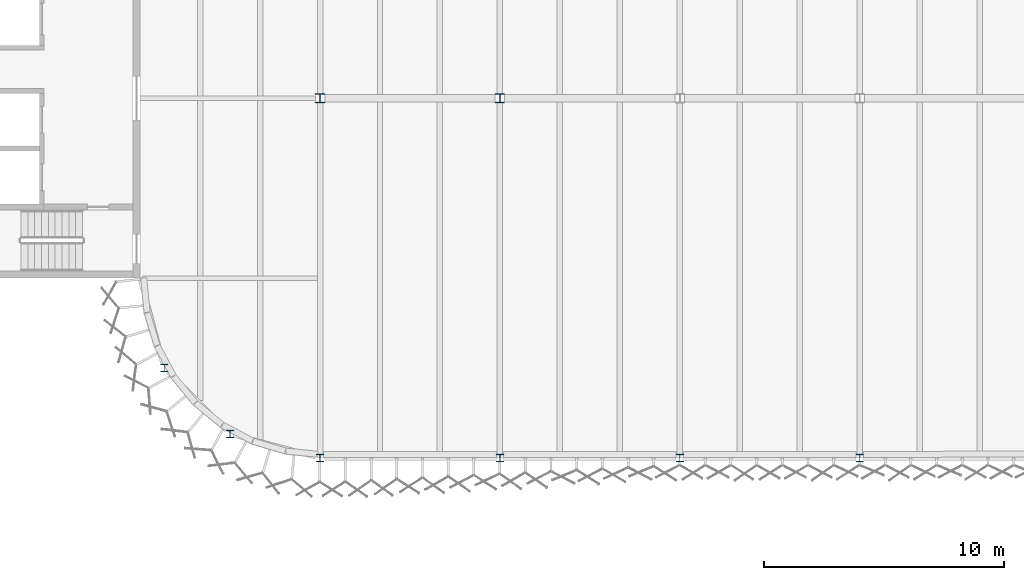
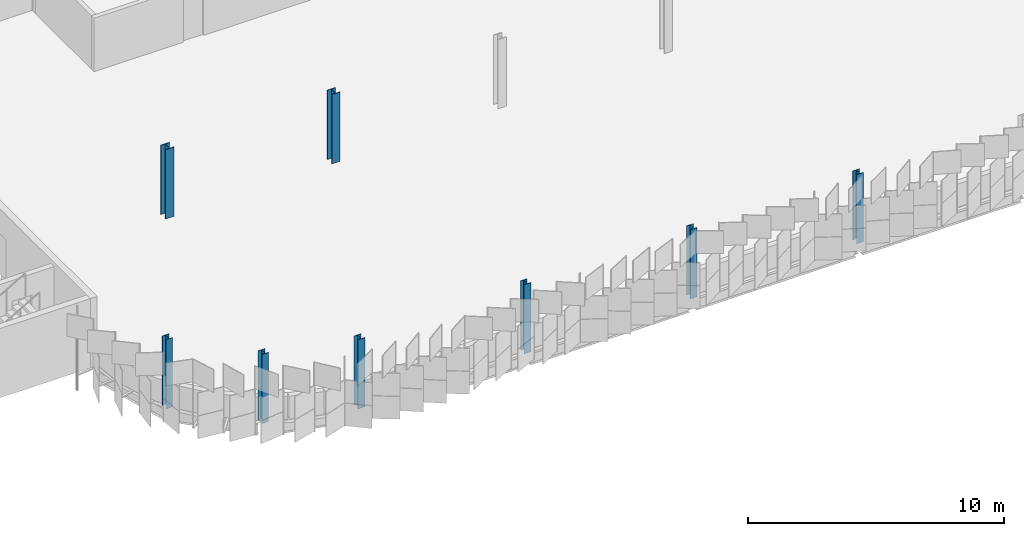
# One storey, part 9 of 198: 8 columns.
"""IFC4 building model written with IfcOpenShell, lengths in metres."""

from ifc_helpers import new_model, si_unit, direction, frame, origin, origin_2d, place, context, subcontext, project, spatial, i_section, extrude, material, material_profile, profile_set, type_object, element, save


model = new_model("IFC4")

# Units and contexts
model_context = context("Model", 3, precision=1e-05, world=origin(), true_north=direction((0.0, 1.0)))
body_context = subcontext(model_context, "Body", "Model", "MODEL_VIEW")
ifc_project = project(units=[si_unit("LENGTHUNIT", "METRE"), si_unit("AREAUNIT", "SQUARE_METRE"), si_unit("VOLUMEUNIT", "CUBIC_METRE"), si_unit("PLANEANGLEUNIT", "RADIAN"), si_unit("MASSUNIT", "GRAM", prefix="KILO")], contexts=[model_context])

# Site, building, storey
site_placement = place(None, origin())
site = spatial("IfcSite", under=ifc_project, at=site_placement, CompositionType="ELEMENT")
building_placement = place(site_placement, origin())
building = spatial("IfcBuilding", under=site, at=building_placement, Name="Parallax Yard Mobility Hub", CompositionType="ELEMENT")
storey_placement = place(building_placement, frame((0.0, 0.0, 6.60009765625)))
storey = spatial("IfcBuildingStorey", under=building, at=storey_placement, Name="L02", CompositionType="ELEMENT", Elevation=6.60009765625)

# Columns
ifc_material = material(Name="Steel ASTM A992", Category="steel")
ifc_material_profile_1 = material_profile(ifc_material, i_section(OverallWidth=0.306884765625, OverallDepth=0.318115234375, WebThickness=0.01318359375, FlangeThickness=0.0205078125, FilletRadius=0.01513671875, at=origin_2d()), Name="W310x129")
ifc_profile_set_1 = profile_set([ifc_material_profile_1], Name="Steel ASTM A992")
column_type_1 = type_object("IfcColumnType", Name="W310x129 column", PredefinedType="COLUMN", material=ifc_profile_set_1)
column_1_placement = place(storey_placement, frame((30.0, 112.5, 0.0), z_axis=(0.0, 0.0, 1.0), x_axis=(1.0, 0.0, 0.0)))
element("IfcColumn", 1, at=column_1_placement, inside=storey, type_object=column_type_1, Name="Column C3 level L02 at R/5 of ramped parking decks", PredefinedType="COLUMN", context=body_context, shape_type="SweptSolid", body=[
    extrude(i_section(OverallWidth=0.306884765625, OverallDepth=0.318115234375, WebThickness=0.01318359375, FlangeThickness=0.0205078125, FilletRadius=0.01513671875, at=origin_2d()), origin(), (0.0, 0.0, 1.0), 3.2998046875),
])
ifc_material_profile_2 = material_profile(ifc_material, i_section(OverallWidth=0.304931640625, OverallDepth=0.306884765625, WebThickness=0.010009765625, FlangeThickness=0.015380859375, FilletRadius=0.01513671875, at=origin_2d()), Name="W310x97")
ifc_profile_set_2 = profile_set([ifc_material_profile_2], Name="Steel ASTM A992")
column_type_2 = type_object("IfcColumnType", Name="W310x97 column", PredefinedType="COLUMN", material=ifc_profile_set_2)
for number, where, z_axis, x_axis, name in (
    (2, (37.5, 112.5, 0.0), (0.0, 0.0, 1.0), (1.0, 0.0, 0.0), "Column C1 level L02 at R/6 of ramped parking decks"),
    (3, (45.0, 112.5, 0.0), (0.0, 0.0, 1.0), (1.0, 0.0, 0.0), "Column C1 level L02 at R/7 of ramped parking decks"),
    (4, (52.5, 112.5, 0.0), (0.0, 0.0, 1.0), (1.0, 0.0, 0.0), "Column C1 level L02 at R/8 of ramped parking decks"),
    (5, (23.5048828125, 116.25, 0.0), (0.0, 0.0, 1.0), (1.0, 0.0, 0.0), "Column C1 level L02 at W-S1 of ramped parking decks"),
    (6, (26.25, 113.5048828125, 0.0), (0.0, 0.0, 1.0), (1.0, 0.0, 0.0), "Column C1 level L02 at W-S2 of ramped parking decks"),
):
    element("IfcColumn", number, at=place(storey_placement, frame(where, z_axis=z_axis, x_axis=x_axis)), inside=storey, type_object=column_type_2, Name=name, PredefinedType="COLUMN", context=body_context, shape_type="SweptSolid", body=[
        extrude(i_section(OverallWidth=0.304931640625, OverallDepth=0.306884765625, WebThickness=0.010009765625, FlangeThickness=0.015380859375, FilletRadius=0.01513671875, at=origin_2d()), origin(), (0.0, 0.0, 1.0), 3.2998046875),
    ])
ifc_material_profile_3 = material_profile(ifc_material, i_section(OverallWidth=0.373046875, OverallDepth=0.367919921875, WebThickness=0.014892578125, FlangeThickness=0.02392578125, FilletRadius=0.01513671875, at=origin_2d()), Name="W360x179")
ifc_profile_set_3 = profile_set([ifc_material_profile_3], Name="Steel ASTM A992")
column_type_3 = type_object("IfcColumnType", Name="W360x179 column", PredefinedType="COLUMN", material=ifc_profile_set_3)
column_2_placement = place(storey_placement, frame((37.5, 127.5, 0.0), z_axis=(0.0, 0.0, 1.0), x_axis=(1.0, 0.0, 0.0)))
element("IfcColumn", 7, at=column_2_placement, inside=storey, type_object=column_type_3, Name="Column C7 level L02 at T/6 of ramped parking decks", PredefinedType="COLUMN", context=body_context, shape_type="SweptSolid", body=[
    extrude(i_section(OverallWidth=0.373046875, OverallDepth=0.367919921875, WebThickness=0.014892578125, FlangeThickness=0.02392578125, FilletRadius=0.01513671875, at=origin_2d()), origin(), (0.0, 0.0, 1.0), 3.2998046875),
])
ifc_material_profile_4 = material_profile(ifc_material, i_section(OverallWidth=0.39599609375, OverallDepth=0.381103515625, WebThickness=0.018798828125, FlangeThickness=0.0302734375, FilletRadius=0.015380859375, at=origin_2d()), Name="W360x237")
ifc_profile_set_4 = profile_set([ifc_material_profile_4], Name="Steel ASTM A992")
column_type_4 = type_object("IfcColumnType", Name="W360x237 column", PredefinedType="COLUMN", material=ifc_profile_set_4)
column_3_placement = place(storey_placement, frame((30.0, 127.5, 0.0), z_axis=(0.0, 0.0, 1.0), x_axis=(1.0, 0.0, 0.0)))
element("IfcColumn", 8, at=column_3_placement, inside=storey, type_object=column_type_4, Name="Column C10 level L02 at T/5 of ramped parking decks", PredefinedType="COLUMN", context=body_context, shape_type="SweptSolid", body=[
    extrude(i_section(OverallWidth=0.39599609375, OverallDepth=0.381103515625, WebThickness=0.018798828125, FlangeThickness=0.0302734375, FilletRadius=0.015380859375, at=origin_2d()), origin(), (0.0, 0.0, 1.0), 3.2998046875),
])

save(model, "model.ifc")
